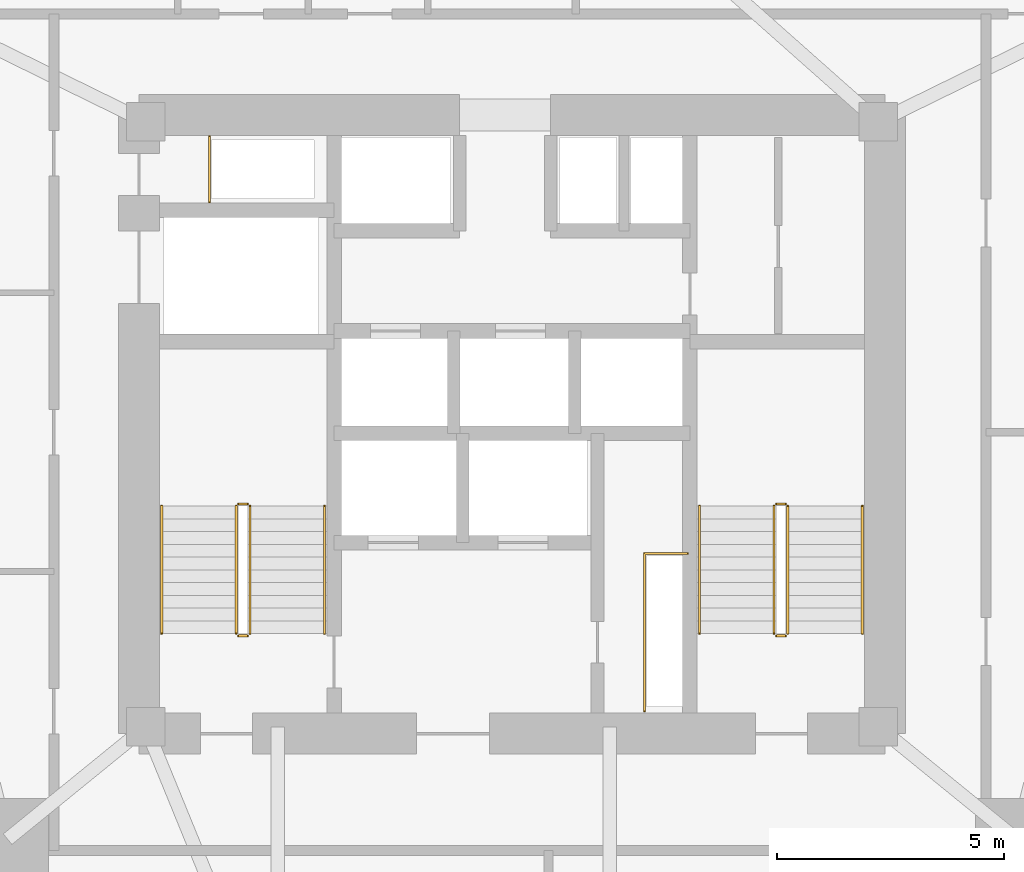
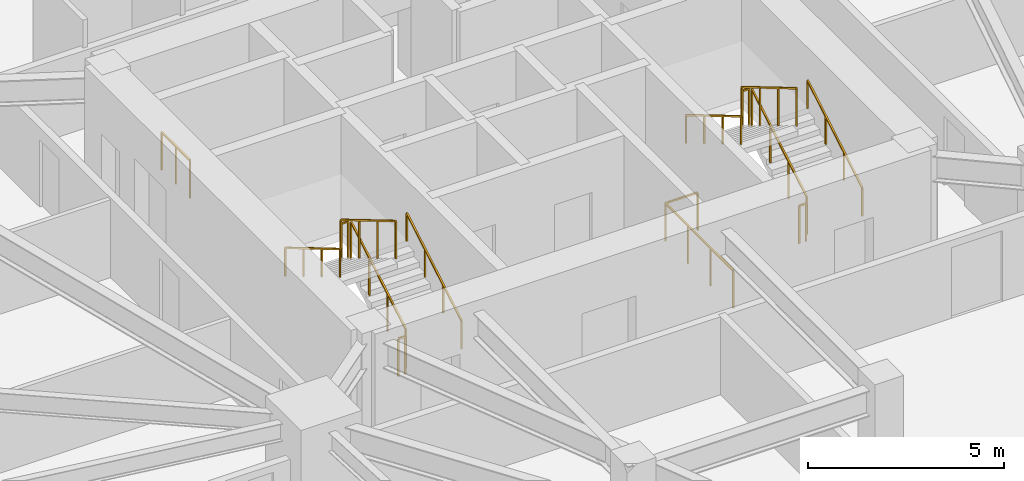
# One storey, part 20 of 20: 14 railings.
"""IFC4 building model written with IfcOpenShell, lengths in metres."""

from ifc_helpers import new_model, si_unit, direction, frame, origin, origin_2d, place, context, subcontext, project, spatial, rectangle, extrude, material, type_object, element, save


model = new_model("IFC4")

# Units and contexts
model_context = context("Model", 3, precision=1e-05, world=origin(), true_north=direction((0.0, 1.0)))
body_context = subcontext(model_context, "Body", "Model", "MODEL_VIEW")
ifc_project = project(units=[si_unit("LENGTHUNIT", "METRE"), si_unit("AREAUNIT", "SQUARE_METRE"), si_unit("VOLUMEUNIT", "CUBIC_METRE"), si_unit("PLANEANGLEUNIT", "RADIAN"), si_unit("MASSUNIT", "GRAM", prefix="KILO")], contexts=[model_context])

# Site, building, storey
site_placement = place(None, origin())
site = spatial("IfcSite", under=ifc_project, at=site_placement, CompositionType="ELEMENT")
building_placement = place(site_placement, origin())
building = spatial("IfcBuilding", under=site, at=building_placement, Name="Talyreon Biosciences Tower", CompositionType="ELEMENT")
storey_placement = place(building_placement, frame((0.0, 0.0, 62.949951171875)))
storey = spatial("IfcBuildingStorey", under=building, at=storey_placement, Name="L16", CompositionType="ELEMENT", Elevation=62.949951171875)

# Railings
ifc_material_1 = material(Name="Brushed stainless-steel tubular handrail", Category="steel")
railing_type_1 = type_object("IfcRailingType", Name="StairWallHandrail_900", PredefinedType="HANDRAIL", material=ifc_material_1)
railing_1_placement = place(storey_placement, frame((61.8798828125, 63.39990234375, 0.166015625)))
element("IfcRailing", 1, at=railing_1_placement, inside=storey, type_object=railing_type_1, Name="L16 ST-1 stair handrail 1", PredefinedType="HANDRAIL", context=body_context, shape_type="SweptSolid", body=[
    extrude(rectangle(XDim=0.048095703125, YDim=0.048095703125, at=origin_2d()), frame((0.0, 0.0, 0.8759765625), z_axis=(0.0, 0.860339051648, 0.50972219513), x_axis=(-1.0, 0.0, 0.0)), (0.0, 0.0, 1.0), 3.254638671875),
    extrude(rectangle(XDim=0.0419921875, YDim=0.0419921875, at=origin_2d()), origin(), (0.0, 0.0, 1.0), 0.851806640625),
    extrude(rectangle(XDim=0.0419921875, YDim=0.0419921875, at=origin_2d()), frame((0.0, 0.933349609375, 0.552978515625)), (0.0, 0.0, 1.0), 0.851806640625),
    extrude(rectangle(XDim=0.0419921875, YDim=0.0419921875, at=origin_2d()), frame((0.0, 1.86669921875, 1.10595703125)), (0.0, 0.0, 1.0), 0.851806640625),
    extrude(rectangle(XDim=0.0419921875, YDim=0.0419921875, at=origin_2d()), frame((0.0, 2.800048828125, 1.658935546875)), (0.0, 0.0, 1.0), 0.851806640625),
])
railing_2_placement = place(storey_placement, frame((58.300048828125, 66.199951171875, 1.990966796875)))
element("IfcRailing", 2, at=railing_2_placement, inside=storey, type_object=railing_type_1, Name="L16 ST-1 stair handrail 2", PredefinedType="HANDRAIL", context=body_context, shape_type="SweptSolid", body=[
    extrude(rectangle(XDim=0.048095703125, YDim=0.048095703125, at=origin_2d()), frame((0.0, 0.0, 0.8759765625), z_axis=(0.0, -0.860306154799, 0.50977771628), x_axis=(1.0, 0.0, 0.0)), (0.0, 0.0, 1.0), 3.254638671875),
    extrude(rectangle(XDim=0.0419921875, YDim=0.0419921875, at=origin_2d()), origin(), (0.0, 0.0, 1.0), 0.851806640625),
    extrude(rectangle(XDim=0.0419921875, YDim=0.0419921875, at=origin_2d()), frame((0.0, -0.933349609375, 0.552978515625)), (0.0, 0.0, 1.0), 0.851806640625),
    extrude(rectangle(XDim=0.0419921875, YDim=0.0419921875, at=origin_2d()), frame((0.0, -1.86669921875, 1.106201171875)), (0.0, 0.0, 1.0), 0.851806640625),
    extrude(rectangle(XDim=0.0419921875, YDim=0.0419921875, at=origin_2d()), frame((0.0, -2.800048828125, 1.6591796875)), (0.0, 0.0, 1.0), 0.851806640625),
])
railing_3_placement = place(storey_placement, frame((73.699951171875, 63.39990234375, 0.166015625)))
element("IfcRailing", 3, at=railing_3_placement, inside=storey, type_object=railing_type_1, Name="L16 ST-2 stair handrail 1", PredefinedType="HANDRAIL", context=body_context, shape_type="SweptSolid", body=[
    extrude(rectangle(XDim=0.048095703125, YDim=0.048095703125, at=origin_2d()), frame((0.0, 0.0, 0.8759765625), z_axis=(0.0, 0.860339051648, 0.50972219513), x_axis=(-1.0, 0.0, 0.0)), (0.0, 0.0, 1.0), 3.254638671875),
    extrude(rectangle(XDim=0.0419921875, YDim=0.0419921875, at=origin_2d()), origin(), (0.0, 0.0, 1.0), 0.851806640625),
    extrude(rectangle(XDim=0.0419921875, YDim=0.0419921875, at=origin_2d()), frame((0.0, 0.933349609375, 0.552978515625)), (0.0, 0.0, 1.0), 0.851806640625),
    extrude(rectangle(XDim=0.0419921875, YDim=0.0419921875, at=origin_2d()), frame((0.0, 1.86669921875, 1.10595703125)), (0.0, 0.0, 1.0), 0.851806640625),
    extrude(rectangle(XDim=0.0419921875, YDim=0.0419921875, at=origin_2d()), frame((0.0, 2.800048828125, 1.658935546875)), (0.0, 0.0, 1.0), 0.851806640625),
])
railing_4_placement = place(storey_placement, frame((70.1201171875, 66.199951171875, 1.990966796875)))
element("IfcRailing", 4, at=railing_4_placement, inside=storey, type_object=railing_type_1, Name="L16 ST-2 stair handrail 2", PredefinedType="HANDRAIL", context=body_context, shape_type="SweptSolid", body=[
    extrude(rectangle(XDim=0.048095703125, YDim=0.048095703125, at=origin_2d()), frame((0.0, 0.0, 0.8759765625), z_axis=(0.0, -0.860306154799, 0.50977771628), x_axis=(1.0, 0.0, 0.0)), (0.0, 0.0, 1.0), 3.254638671875),
    extrude(rectangle(XDim=0.0419921875, YDim=0.0419921875, at=origin_2d()), origin(), (0.0, 0.0, 1.0), 0.851806640625),
    extrude(rectangle(XDim=0.0419921875, YDim=0.0419921875, at=origin_2d()), frame((0.0, -0.933349609375, 0.552978515625)), (0.0, 0.0, 1.0), 0.851806640625),
    extrude(rectangle(XDim=0.0419921875, YDim=0.0419921875, at=origin_2d()), frame((0.0, -1.86669921875, 1.106201171875)), (0.0, 0.0, 1.0), 0.851806640625),
    extrude(rectangle(XDim=0.0419921875, YDim=0.0419921875, at=origin_2d()), frame((0.0, -2.800048828125, 1.6591796875)), (0.0, 0.0, 1.0), 0.851806640625),
])
ifc_material_2 = material(Name="Painted galvanised steel post-and-rail balustrade", Category="steel")
railing_type_2 = type_object("IfcRailingType", Name="TerraceStairGuard_1200", PredefinedType="GUARDRAIL", material=ifc_material_2)
railing_5_placement = place(storey_placement, frame((60.239990234375, 63.39990234375, 0.166015625)))
element("IfcRailing", 5, at=railing_5_placement, inside=storey, type_object=railing_type_2, Name="L16 ST-1 stair guard 1", PredefinedType="GUARDRAIL", context=body_context, shape_type="SweptSolid", body=[
    extrude(rectangle(XDim=0.048095703125, YDim=0.048095703125, at=origin_2d()), frame((0.0, 0.0, 1.17578125), z_axis=(0.0, 0.860339051648, 0.50972219513), x_axis=(-1.0, 0.0, 0.0)), (0.0, 0.0, 1.0), 3.254638671875),
    extrude(rectangle(XDim=0.0419921875, YDim=0.0419921875, at=origin_2d()), origin(), (0.0, 0.0, 1.0), 1.15185546875),
    extrude(rectangle(XDim=0.0419921875, YDim=0.0419921875, at=origin_2d()), frame((0.0, 0.933349609375, 0.552978515625)), (0.0, 0.0, 1.0), 1.15185546875),
    extrude(rectangle(XDim=0.0419921875, YDim=0.0419921875, at=origin_2d()), frame((0.0, 1.86669921875, 1.10595703125)), (0.0, 0.0, 1.0), 1.15185546875),
    extrude(rectangle(XDim=0.0419921875, YDim=0.0419921875, at=origin_2d()), frame((0.0, 2.800048828125, 1.658935546875)), (0.0, 0.0, 1.0), 1.15185546875),
])
railing_6_placement = place(storey_placement, frame((60.18994140625, 66.25, 1.824951171875)))
element("IfcRailing", 6, at=railing_6_placement, inside=storey, type_object=railing_type_2, Name="L16 ST-1 stair guard 2", PredefinedType="GUARDRAIL", context=body_context, shape_type="SweptSolid", body=[
    extrude(rectangle(XDim=0.048095703125, YDim=0.048095703125, at=origin_2d()), frame((0.0, 0.0, 1.17578125), z_axis=(-1.0, 0.0, 0.0), x_axis=(0.0, -1.0, 0.0)), (0.0, 0.0, 1.0), 0.199951171875),
    extrude(rectangle(XDim=0.0419921875, YDim=0.0419921875, at=origin_2d()), origin(), (0.0, 0.0, 1.0), 1.15185546875),
    extrude(rectangle(XDim=0.0419921875, YDim=0.0419921875, at=origin_2d()), frame((-0.199951171875, 0.0, 0.0)), (0.0, 0.0, 1.0), 1.15185546875),
])
railing_7_placement = place(storey_placement, frame((59.93994140625, 66.199951171875, 1.990966796875)))
element("IfcRailing", 7, at=railing_7_placement, inside=storey, type_object=railing_type_2, Name="L16 ST-1 stair guard 3", PredefinedType="GUARDRAIL", context=body_context, shape_type="SweptSolid", body=[
    extrude(rectangle(XDim=0.048095703125, YDim=0.048095703125, at=origin_2d()), frame((0.0, 0.0, 1.17578125), z_axis=(0.0, -0.860306154799, 0.50977771628), x_axis=(1.0, 0.0, 0.0)), (0.0, 0.0, 1.0), 3.254638671875),
    extrude(rectangle(XDim=0.0419921875, YDim=0.0419921875, at=origin_2d()), origin(), (0.0, 0.0, 1.0), 1.15185546875),
    extrude(rectangle(XDim=0.0419921875, YDim=0.0419921875, at=origin_2d()), frame((0.0, -0.933349609375, 0.552978515625)), (0.0, 0.0, 1.0), 1.15185546875),
    extrude(rectangle(XDim=0.0419921875, YDim=0.0419921875, at=origin_2d()), frame((0.0, -1.86669921875, 1.106201171875)), (0.0, 0.0, 1.0), 1.15185546875),
    extrude(rectangle(XDim=0.0419921875, YDim=0.0419921875, at=origin_2d()), frame((0.0, -2.800048828125, 1.6591796875)), (0.0, 0.0, 1.0), 1.15185546875),
])
railing_8_placement = place(storey_placement, frame((60.18994140625, 63.35009765625, 0.0)))
element("IfcRailing", 8, at=railing_8_placement, inside=storey, type_object=railing_type_2, Name="L16 ST-1 stair guard 4", PredefinedType="GUARDRAIL", context=body_context, shape_type="SweptSolid", body=[
    extrude(rectangle(XDim=0.048095703125, YDim=0.048095703125, at=origin_2d()), frame((0.0, 0.0, 1.17578125), z_axis=(-1.0, 0.0, 0.0), x_axis=(0.0, -1.0, 0.0)), (0.0, 0.0, 1.0), 0.199951171875),
    extrude(rectangle(XDim=0.0419921875, YDim=0.0419921875, at=origin_2d()), origin(), (0.0, 0.0, 1.0), 1.15185546875),
    extrude(rectangle(XDim=0.0419921875, YDim=0.0419921875, at=origin_2d()), frame((-0.199951171875, 0.0, 0.0)), (0.0, 0.0, 1.0), 1.15185546875),
])
railing_9_placement = place(storey_placement, frame((72.06005859375, 63.39990234375, 0.166015625)))
element("IfcRailing", 9, at=railing_9_placement, inside=storey, type_object=railing_type_2, Name="L16 ST-2 stair guard 1", PredefinedType="GUARDRAIL", context=body_context, shape_type="SweptSolid", body=[
    extrude(rectangle(XDim=0.048095703125, YDim=0.048095703125, at=origin_2d()), frame((0.0, 0.0, 1.17578125), z_axis=(0.0, 0.860339051648, 0.50972219513), x_axis=(-1.0, 0.0, 0.0)), (0.0, 0.0, 1.0), 3.254638671875),
    extrude(rectangle(XDim=0.0419921875, YDim=0.0419921875, at=origin_2d()), origin(), (0.0, 0.0, 1.0), 1.15185546875),
    extrude(rectangle(XDim=0.0419921875, YDim=0.0419921875, at=origin_2d()), frame((0.0, 0.933349609375, 0.552978515625)), (0.0, 0.0, 1.0), 1.15185546875),
    extrude(rectangle(XDim=0.0419921875, YDim=0.0419921875, at=origin_2d()), frame((0.0, 1.86669921875, 1.10595703125)), (0.0, 0.0, 1.0), 1.15185546875),
    extrude(rectangle(XDim=0.0419921875, YDim=0.0419921875, at=origin_2d()), frame((0.0, 2.800048828125, 1.658935546875)), (0.0, 0.0, 1.0), 1.15185546875),
])
railing_10_placement = place(storey_placement, frame((72.010009765625, 66.25, 1.824951171875)))
element("IfcRailing", 10, at=railing_10_placement, inside=storey, type_object=railing_type_2, Name="L16 ST-2 stair guard 2", PredefinedType="GUARDRAIL", context=body_context, shape_type="SweptSolid", body=[
    extrude(rectangle(XDim=0.048095703125, YDim=0.048095703125, at=origin_2d()), frame((0.0, 0.0, 1.17578125), z_axis=(-1.0, 0.0, 0.0), x_axis=(0.0, -1.0, 0.0)), (0.0, 0.0, 1.0), 0.199951171875),
    extrude(rectangle(XDim=0.0419921875, YDim=0.0419921875, at=origin_2d()), origin(), (0.0, 0.0, 1.0), 1.15185546875),
    extrude(rectangle(XDim=0.0419921875, YDim=0.0419921875, at=origin_2d()), frame((-0.199951171875, 0.0, 0.0)), (0.0, 0.0, 1.0), 1.15185546875),
])
railing_11_placement = place(storey_placement, frame((71.760009765625, 66.199951171875, 1.990966796875)))
element("IfcRailing", 11, at=railing_11_placement, inside=storey, type_object=railing_type_2, Name="L16 ST-2 stair guard 3", PredefinedType="GUARDRAIL", context=body_context, shape_type="SweptSolid", body=[
    extrude(rectangle(XDim=0.048095703125, YDim=0.048095703125, at=origin_2d()), frame((0.0, 0.0, 1.17578125), z_axis=(0.0, -0.860306154799, 0.50977771628), x_axis=(1.0, 0.0, 0.0)), (0.0, 0.0, 1.0), 3.254638671875),
    extrude(rectangle(XDim=0.0419921875, YDim=0.0419921875, at=origin_2d()), origin(), (0.0, 0.0, 1.0), 1.15185546875),
    extrude(rectangle(XDim=0.0419921875, YDim=0.0419921875, at=origin_2d()), frame((0.0, -0.933349609375, 0.552978515625)), (0.0, 0.0, 1.0), 1.15185546875),
    extrude(rectangle(XDim=0.0419921875, YDim=0.0419921875, at=origin_2d()), frame((0.0, -1.86669921875, 1.106201171875)), (0.0, 0.0, 1.0), 1.15185546875),
    extrude(rectangle(XDim=0.0419921875, YDim=0.0419921875, at=origin_2d()), frame((0.0, -2.800048828125, 1.6591796875)), (0.0, 0.0, 1.0), 1.15185546875),
])
railing_12_placement = place(storey_placement, frame((72.010009765625, 63.35009765625, 0.0)))
element("IfcRailing", 12, at=railing_12_placement, inside=storey, type_object=railing_type_2, Name="L16 ST-2 stair guard 4", PredefinedType="GUARDRAIL", context=body_context, shape_type="SweptSolid", body=[
    extrude(rectangle(XDim=0.048095703125, YDim=0.048095703125, at=origin_2d()), frame((0.0, 0.0, 1.17578125), z_axis=(-1.0, 0.0, 0.0), x_axis=(0.0, -1.0, 0.0)), (0.0, 0.0, 1.0), 0.199951171875),
    extrude(rectangle(XDim=0.0419921875, YDim=0.0419921875, at=origin_2d()), origin(), (0.0, 0.0, 1.0), 1.15185546875),
    extrude(rectangle(XDim=0.0419921875, YDim=0.0419921875, at=origin_2d()), frame((-0.199951171875, 0.0, 0.0)), (0.0, 0.0, 1.0), 1.15185546875),
])
railing_13_placement = place(storey_placement, frame((59.35009765625, 72.8798828125, 0.0)))
element("IfcRailing", 13, at=railing_13_placement, inside=storey, type_object=railing_type_2, Name="L16 Exhaust Riser Maintenance Guardrail", PredefinedType="GUARDRAIL", context=body_context, shape_type="SweptSolid", body=[
    extrude(rectangle(XDim=0.048095703125, YDim=0.048095703125, at=origin_2d()), frame((0.0, 0.0, 1.17578125), z_axis=(0.0, 1.0, 0.0), x_axis=(-1.0, 0.0, 0.0)), (0.0, 0.0, 1.0), 1.4501953125),
    extrude(rectangle(XDim=0.0419921875, YDim=0.0419921875, at=origin_2d()), origin(), (0.0, 0.0, 1.0), 1.15185546875),
    extrude(rectangle(XDim=0.0419921875, YDim=0.0419921875, at=origin_2d()), frame((0.0, 0.72509765625, 0.0)), (0.0, 0.0, 1.0), 1.15185546875),
    extrude(rectangle(XDim=0.0419921875, YDim=0.0419921875, at=origin_2d()), frame((0.0, 1.4501953125, 0.0)), (0.0, 0.0, 1.0), 1.15185546875),
])
railing_14_placement = place(storey_placement, frame((68.909912109375, 61.699951171875, 0.0)))
element("IfcRailing", 14, at=railing_14_placement, inside=storey, type_object=railing_type_2, Name="L16 Electrical Riser Maintenance Guardrail", PredefinedType="GUARDRAIL", context=body_context, shape_type="SweptSolid", body=[
    extrude(rectangle(XDim=0.048095703125, YDim=0.048095703125, at=origin_2d()), frame((0.0, 0.0, 1.17578125), z_axis=(0.0, 1.0, 0.0), x_axis=(-1.0, 0.0, 0.0)), (0.0, 0.0, 1.0), 3.4599609375),
    extrude(rectangle(XDim=0.048095703125, YDim=0.048095703125, at=origin_2d()), frame((0.0, 3.4599609375, 1.17578125), z_axis=(1.0, 0.0, 0.0), x_axis=(0.0, 1.0, 0.0)), (0.0, 0.0, 1.0), 0.9501953125),
    extrude(rectangle(XDim=0.0419921875, YDim=0.0419921875, at=origin_2d()), origin(), (0.0, 0.0, 1.0), 1.15185546875),
    extrude(rectangle(XDim=0.0419921875, YDim=0.0419921875, at=origin_2d()), frame((0.0, 1.1533203125, 0.0)), (0.0, 0.0, 1.0), 1.15185546875),
    extrude(rectangle(XDim=0.0419921875, YDim=0.0419921875, at=origin_2d()), frame((0.0, 2.306640625, 0.0)), (0.0, 0.0, 1.0), 1.15185546875),
    extrude(rectangle(XDim=0.0419921875, YDim=0.0419921875, at=origin_2d()), frame((0.0, 3.4599609375, 0.0)), (0.0, 0.0, 1.0), 1.15185546875),
    extrude(rectangle(XDim=0.0419921875, YDim=0.0419921875, at=origin_2d()), frame((0.9501953125, 3.4599609375, 0.0)), (0.0, 0.0, 1.0), 1.15185546875),
])

save(model, "model.ifc")
